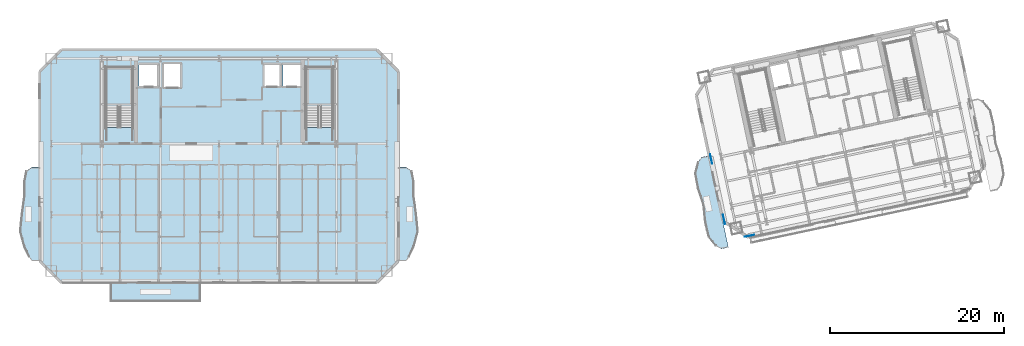
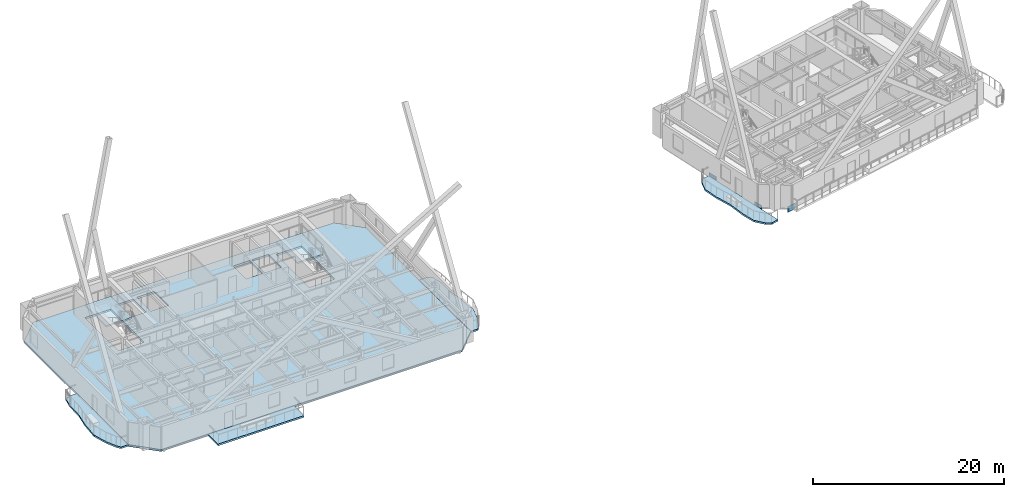
# One storey, part 8 of 20: 7 slabs, 3 plates, 2 elements without a shape of their own.
"""IFC4 building model written with IfcOpenShell, lengths in metres."""

from ifc_helpers import new_model, si_unit, direction, frame, origin, origin_2d, place, context, subcontext, project, spatial, polyline, rectangle, outline, extrude, material, layer, layer_set, type_object, element, aggregate, save


model = new_model("IFC4")

# Units and contexts
model_context = context("Model", 3, precision=1e-05, world=origin(), true_north=direction((0.0, 1.0)))
body_context = subcontext(model_context, "Body", "Model", "MODEL_VIEW")
ifc_project = project(units=[si_unit("LENGTHUNIT", "METRE"), si_unit("AREAUNIT", "SQUARE_METRE"), si_unit("VOLUMEUNIT", "CUBIC_METRE"), si_unit("PLANEANGLEUNIT", "RADIAN"), si_unit("MASSUNIT", "GRAM", prefix="KILO")], contexts=[model_context])

# Site, building, storey
site_placement = place(None, origin())
site = spatial("IfcSite", under=ifc_project, at=site_placement, CompositionType="ELEMENT")
building_placement = place(site_placement, origin())
building = spatial("IfcBuilding", under=site, at=building_placement, Name="Haevon Station Towers", CompositionType="ELEMENT")
storey_placement = place(building_placement, frame((0.0, 0.0, 175.800048828125)))
storey = spatial("IfcBuildingStorey", under=building, at=storey_placement, Name="L48", CompositionType="ELEMENT", Elevation=175.800048828125)

# Plates
ifc_material_1 = material(Name="PL-SPL1", Category="steel")
ifc_layer_1 = layer(ifc_material_1, 0.031982421875)
ifc_layer_set_1 = layer_set([ifc_layer_1], Name="PL-SPL1")
plate_type = type_object("IfcPlateType", Name="PL-SPL1", PredefinedType="USERDEFINED", material=ifc_layer_set_1)
for number, where, z_axis, x_axis, name in (
    (1, (98.54541015625, 27.59423828125, -0.4951171875), (0.0, 0.0, 1.0), (0.978147600734, 0.207911690818, 0.0), "PL-T2SPL-T07-S-1"),
    (2, (95.61572265625, 29.49658203125, -0.4951171875), (0.0, 0.0, 1.0), (-0.207911690818, 0.978147600734, 0.0), "PL-T2SPL-T07-W-1"),
    (3, (94.135498046875, 36.461181640625, -0.4951171875), (0.0, 0.0, 1.0), (-0.207911690818, 0.978147600734, 0.0), "PL-T2SPL-T07-W-2"),
):
    element("IfcPlate", number, at=place(storey_placement, frame(where, z_axis=z_axis, x_axis=x_axis)), inside=storey, type_object=plate_type, Name=name, ObjectType="SPLICE_PLATE", PredefinedType="USERDEFINED", context=body_context, shape_type="SweptSolid", body=[
        extrude(rectangle(XDim=1.10009765625, YDim=0.031982421875, at=origin_2d()), origin(), (0.0, 0.0, 1.0), 0.75),
    ])

# Slabs
ifc_material_2 = material(Name="Concrete C40/50", Category="concrete")
ifc_layer_2 = layer(ifc_material_2, 0.219970703125)
ifc_layer_set_2 = layer_set([ifc_layer_2], Name="Concrete C40/50")
slab_type_1 = type_object("IfcSlabType", Name="SL-BALC220", PredefinedType="FLOOR", material=ifc_layer_set_2)
slab_1_placement = place(storey_placement, frame((0.0, 0.0, -0.219970703125)))
element("IfcSlab", 4, at=slab_1_placement, inside=storey, type_object=slab_type_1, Name="Tower 1 L48 West SCALLOPED BALCONY", PredefinedType="FLOOR", context=body_context, shape_type="SweptSolid", body=[
    extrude(outline(polyline([(16.844970703125, 35.5), (15.962890625, 35.5), (15.333984375, 35.0888671875), (15.101806640625, 33.91845703125), (15.080322265625, 32.16650390625), (14.7451171875, 30.10009765625), (14.59521484375, 28.033447265625), (15.101806640625, 26.28173828125), (15.65966796875, 25.111083984375), (15.962890625, 24.699951171875), (16.844970703125, 24.699951171875), (16.844970703125, 35.5)])), origin(), (0.0, 0.0, 1.0), 0.219970703125),
])
slab_2_placement = place(storey_placement, frame((0.0, 0.0, -0.219970703125)))
element("IfcSlab", 5, at=slab_2_placement, inside=storey, type_object=slab_type_1, Name="Tower 1 L48 East SCALLOPED BALCONY", PredefinedType="FLOOR", context=body_context, shape_type="SweptSolid", body=[
    extrude(outline(polyline([(58.155029296875, 24.699951171875), (59.037109375, 24.699951171875), (59.34033203125, 25.111083984375), (59.898193359375, 26.28173828125), (60.40478515625, 28.033447265625), (60.2548828125, 30.10009765625), (59.919677734375, 32.16650390625), (59.898193359375, 33.91845703125), (59.666015625, 35.0888671875), (59.037109375, 35.5), (58.155029296875, 35.5), (58.155029296875, 24.699951171875)])), origin(), (0.0, 0.0, 1.0), 0.219970703125),
])
slab_3_placement = place(storey_placement, frame((0.0, 0.0, -0.219970703125)))
element("IfcSlab", 6, at=slab_3_placement, inside=storey, type_object=slab_type_1, Name="Tower 1 L48 Planted Balcony Band", PredefinedType="FLOOR", context=body_context, shape_type="SweptSolid", body=[
    extrude(outline(polyline([(25.0, 20.10009765625), (35.39990234375, 20.10009765625), (35.39990234375, 22.195068359375), (25.0, 22.195068359375), (25.0, 20.10009765625)])), origin(), (0.0, 0.0, 1.0), 0.219970703125),
])
slab_4_placement = place(storey_placement, frame((0.0, 0.0, -0.219970703125)))
element("IfcSlab", 7, at=slab_4_placement, inside=storey, type_object=slab_type_1, Name="Tower 2 L48 West SCALLOPED BALCONY", PredefinedType="FLOOR", context=body_context, shape_type="SweptSolid", body=[
    extrude(outline(polyline([(93.8681640625, 36.82861328125), (93.036865234375, 36.65185546875), (92.635009765625, 36.146240234375), (92.285888671875, 34.875244140625), (92.597900390625, 33.150634765625), (93.18505859375, 31.16259765625), (93.457275390625, 29.10791015625), (93.873779296875, 27.4052734375), (94.70947265625, 26.38623046875), (95.2822265625, 26.087890625), (96.11376953125, 26.2646484375), (93.8681640625, 36.82861328125)])), origin(), (0.0, 0.0, 1.0), 0.219970703125),
])

# Stair, slab
stair_type = type_object("IfcStairType", Name="STR-DL1450", PredefinedType="USERDEFINED", material=ifc_material_2)
stair_1_placement = place(storey_placement, origin())
stair_1 = element("IfcStair", 8, at=stair_1_placement, inside=storey, type_object=stair_type, Name="L48 Escape Stair ST1", ObjectType="TWO_RETURN_STAIR", PredefinedType="USERDEFINED")
ifc_layer_3 = layer(ifc_material_2, 0.199951171875)
ifc_layer_set_3 = layer_set([ifc_layer_3], Name="Concrete C40/50")
slab_type_2 = type_object("IfcSlabType", Name="SL-LND200", PredefinedType="LANDING", material=ifc_layer_set_3)
slab_5_placement = place(storey_placement, frame((0.0, 0.0, 1.449951171875)))
slab_5 = element("IfcSlab", 9, at=slab_5_placement, type_object=slab_type_2, Name="L48 ST1 Half Landing 1", PredefinedType="LANDING", context=body_context, shape_type="SweptSolid", body=[
    extrude(outline(polyline([(27.580078125, 42.56396484375), (27.580078125, 47.0), (24.47998046875, 47.0), (24.47998046875, 42.56396484375), (27.580078125, 42.56396484375)])), origin(), (0.0, 0.0, 1.0), 0.199951171875),
])
aggregate(stair_1, [slab_5])

stair_2_placement = place(storey_placement, origin())
stair_2 = element("IfcStair", 10, at=stair_2_placement, inside=storey, type_object=stair_type, Name="L48 Escape Stair ST2", ObjectType="TWO_RETURN_STAIR", PredefinedType="USERDEFINED")
slab_6_placement = place(storey_placement, frame((0.0, 0.0, 1.449951171875)))
slab_6 = element("IfcSlab", 11, at=slab_6_placement, type_object=slab_type_2, Name="L48 ST2 Half Landing 1", PredefinedType="LANDING", context=body_context, shape_type="SweptSolid", body=[
    extrude(outline(polyline([(50.6201171875, 42.56396484375), (50.6201171875, 47.0), (47.52001953125, 47.0), (47.52001953125, 42.56396484375), (50.6201171875, 42.56396484375)])), origin(), (0.0, 0.0, 1.0), 0.199951171875),
])
aggregate(stair_2, [slab_6])

# Slab
ifc_layer_4 = layer(ifc_material_2, 0.25)
ifc_layer_set_4 = layer_set([ifc_layer_4], Name="Concrete C40/50")
slab_type_3 = type_object("IfcSlabType", Name="SL-TW250", PredefinedType="FLOOR", material=ifc_layer_set_4)
slab_7_placement = place(storey_placement, frame((0.0, 0.0, -0.25)))
element("IfcSlab", 12, at=slab_7_placement, inside=storey, type_object=slab_type_3, Name="SL-T1-L48", PredefinedType="FLOOR", context=body_context, shape_type="SweptSolid", body=[
    extrude(outline(polyline([(19.35009765625, 22.199951171875), (55.64990234375, 22.199951171875), (58.14990234375, 24.699951171875), (58.14990234375, 46.5), (55.64990234375, 49.0), (19.35009765625, 49.0), (16.85009765625, 46.5), (16.85009765625, 24.699951171875), (19.35009765625, 22.199951171875)]), holes=[polyline([(27.580078125, 40.055908203125), (27.580078125, 47.0), (24.47998046875, 47.0), (24.47998046875, 40.055908203125), (27.580078125, 40.055908203125)]), polyline([(50.6201171875, 40.055908203125), (50.6201171875, 47.0), (47.52001953125, 47.0), (47.52001953125, 40.055908203125), (50.6201171875, 40.055908203125)]), polyline([(28.300048828125, 44.699951171875), (30.5, 44.699951171875), (30.5, 47.39990234375), (28.300048828125, 47.39990234375), (28.300048828125, 44.699951171875)]), polyline([(31.050048828125, 44.60009765625), (33.14990234375, 44.60009765625), (33.14990234375, 47.5), (31.050048828125, 47.5), (31.050048828125, 44.60009765625)]), polyline([(42.60009765625, 44.699951171875), (44.60009765625, 44.699951171875), (44.60009765625, 47.39990234375), (42.60009765625, 47.39990234375), (42.60009765625, 44.699951171875)]), polyline([(44.85009765625, 44.699951171875), (46.85009765625, 44.699951171875), (46.85009765625, 47.39990234375), (44.85009765625, 47.39990234375), (44.85009765625, 44.699951171875)])]), origin(), (0.0, 0.0, 1.0), 0.25),
])

save(model, "model.ifc")
